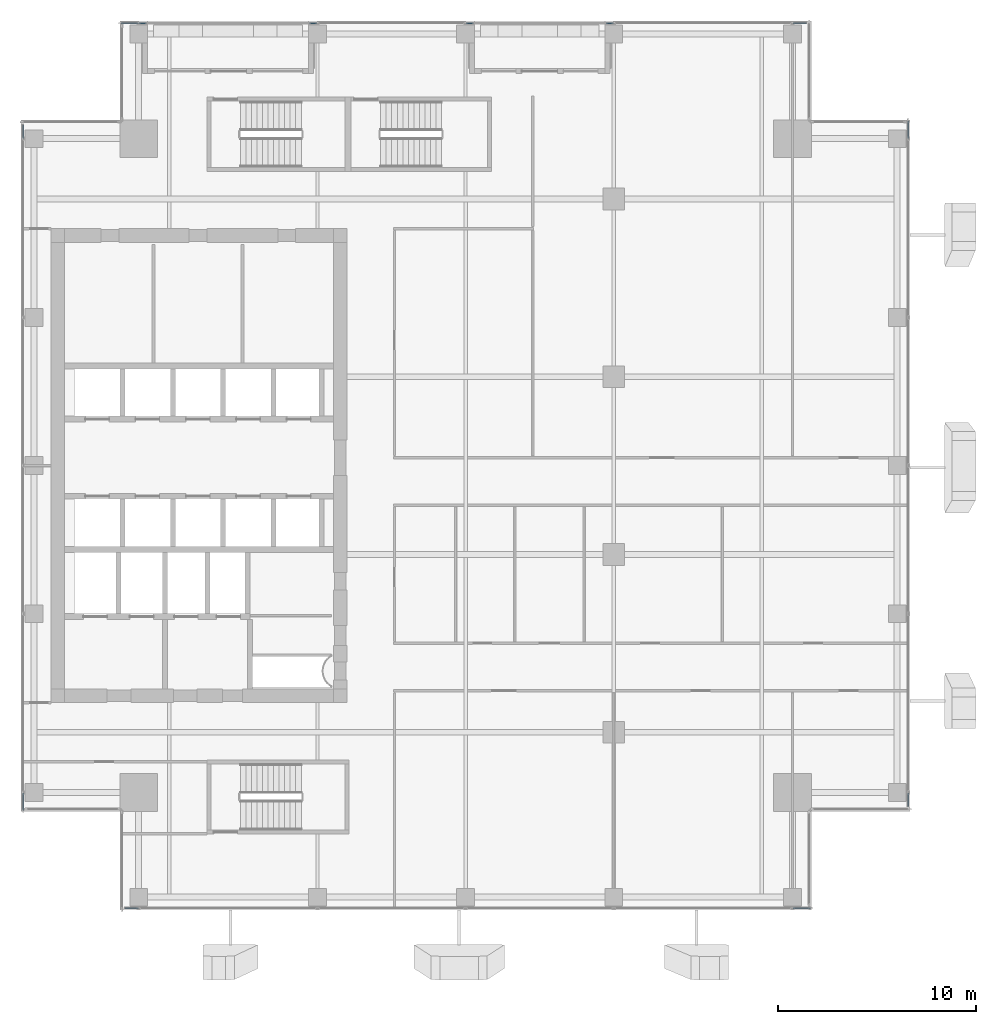
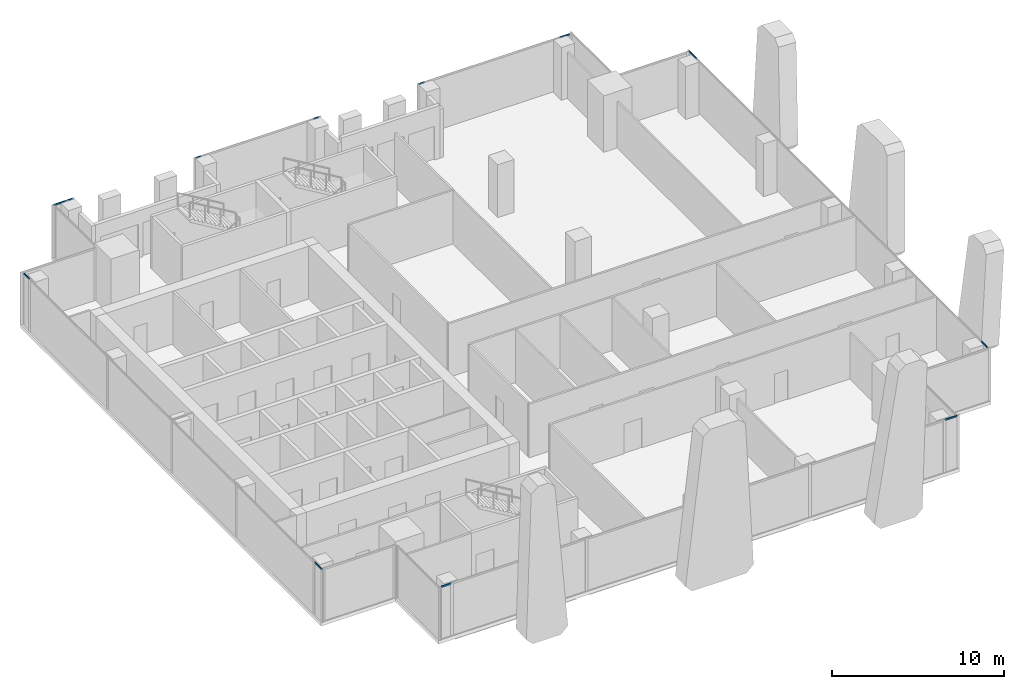
# One storey, part 25 of 36: 12 members, 6 elements without a shape of their own.
"""IFC4 building model written with IfcOpenShell, lengths in metres."""

from ifc_helpers import new_model, si_unit, direction, frame, origin, origin_2d, place, context, subcontext, project, spatial, hollow_rectangle, extrude, source, transform, mapped, material, material_profile, profile_set, type_object, element, aggregate, save


model = new_model("IFC4")

# Units and contexts
model_context = context("Model", 3, precision=1e-05, world=origin(), true_north=direction((0.0, 1.0)))
body_context = subcontext(model_context, "Body", "Model", "MODEL_VIEW")
ifc_project = project(units=[si_unit("LENGTHUNIT", "METRE"), si_unit("AREAUNIT", "SQUARE_METRE"), si_unit("VOLUMEUNIT", "CUBIC_METRE"), si_unit("PLANEANGLEUNIT", "RADIAN"), si_unit("MASSUNIT", "GRAM", prefix="KILO")], contexts=[model_context])

# Site, building, storey
site_placement = place(None, origin())
site = spatial("IfcSite", under=ifc_project, at=site_placement, CompositionType="ELEMENT")
building_placement = place(site_placement, origin())
building = spatial("IfcBuilding", under=site, at=building_placement, Name="Khomas Fold Tower", CompositionType="ELEMENT")
storey_placement = place(building_placement, frame((0.0, 0.0, 238.199951171875)))
storey = spatial("IfcBuildingStorey", under=building, at=storey_placement, Name="L53", CompositionType="ELEMENT", Elevation=238.199951171875)

# Curtain wall, member
ifc_material_1 = material(Name="Aluminium framed double glazing", Category="aluminium")
curtain_wall_type = type_object("IfcCurtainWallType", Name="SK-Unitised clear-glass wall, office floors CW2", PredefinedType="NOTDEFINED", material=ifc_material_1)
curtain_wall_1_placement = place(storey_placement, origin())
curtain_wall_1 = element("IfcCurtainWall", 1, at=curtain_wall_1_placement, inside=storey, type_object=curtain_wall_type, Name="CW2 run L53 00-0", PredefinedType="NOTDEFINED")
ifc_material_2 = material(Name="Aluminium", Category="aluminium")
ifc_material_profile = material_profile(ifc_material_2, hollow_rectangle(XDim=0.050048828125, YDim=0.110107421875, WallThickness=0.00390625, at=origin_2d()), Name="SK-Unitised clear-glass wall, office floors transom CW2-T")
ifc_profile_set = profile_set([ifc_material_profile], Name="Aluminium")
member_type = type_object("IfcMemberType", Name="SK-Unitised clear-glass wall, office floors transom CW2-T", PredefinedType="USERDEFINED", material=ifc_profile_set)
shared_shape_1 = source(origin(), body_context, "Body", "SweptSolid", [
    extrude(hollow_rectangle(XDim=0.050048828125, YDim=0.110107421875, WallThickness=0.00390625, at=origin_2d()), origin(), (0.0, 0.0, 1.0), 0.659912109375),
])
member_1_placement = place(storey_placement, frame((9.760009765625, 4.60009765625, 3.695068359375), z_axis=(1.0, 0.0, 0.0), x_axis=(0.0, 1.0, 0.0)))
member_1 = element("IfcMember", 2, at=member_1_placement, type_object=member_type, Name="CW2 transom 1", ObjectType="TRANSOM", PredefinedType="USERDEFINED", context=body_context, shape_type="MappedRepresentation", body=[
    mapped(shared_shape_1, transform((0.0, 0.0, 0.0))),
])

curtain_wall_2_placement = place(storey_placement, origin())
curtain_wall_2 = element("IfcCurtainWall", 3, at=curtain_wall_2_placement, inside=storey, type_object=curtain_wall_type, Name="CW2 run L53 03-0", PredefinedType="NOTDEFINED")
member_2_placement = place(storey_placement, frame((49.39990234375, 9.760009765625, 3.695068359375), z_axis=(0.0, 1.0, 0.0), x_axis=(-1.0, 0.0, 0.0)))
member_2 = element("IfcMember", 4, at=member_2_placement, type_object=member_type, Name="CW2 transom 1", ObjectType="TRANSOM", PredefinedType="USERDEFINED", context=body_context, shape_type="MappedRepresentation", body=[
    mapped(shared_shape_1, transform((0.0, 0.0, 0.0))),
])

curtain_wall_3_placement = place(storey_placement, origin())
curtain_wall_3 = element("IfcCurtainWall", 5, at=curtain_wall_3_placement, inside=storey, type_object=curtain_wall_type, Name="CW2 run L53 06-0", PredefinedType="NOTDEFINED")
member_3_placement = place(storey_placement, frame((44.239990234375, 49.39990234375, 3.695068359375), z_axis=(-1.0, 0.0, 0.0), x_axis=(0.0, -1.0, 0.0)))
member_3 = element("IfcMember", 6, at=member_3_placement, type_object=member_type, Name="CW2 transom 1", ObjectType="TRANSOM", PredefinedType="USERDEFINED", context=body_context, shape_type="MappedRepresentation", body=[
    mapped(shared_shape_1, transform((0.0, 0.0, 0.0))),
])

curtain_wall_4_placement = place(storey_placement, origin())
curtain_wall_4 = element("IfcCurtainWall", 7, at=curtain_wall_4_placement, inside=storey, type_object=curtain_wall_type, Name="CW2 run L53 09-0", PredefinedType="NOTDEFINED")
member_4_placement = place(storey_placement, frame((4.60009765625, 44.239990234375, 3.695068359375), z_axis=(0.0, -1.0, 0.0), x_axis=(1.0, 0.0, 0.0)))
member_4 = element("IfcMember", 8, at=member_4_placement, type_object=member_type, Name="CW2 transom 1", ObjectType="TRANSOM", PredefinedType="USERDEFINED", context=body_context, shape_type="MappedRepresentation", body=[
    mapped(shared_shape_1, transform((0.0, 0.0, 0.0))),
])

# Member
shared_shape_2 = source(origin(), body_context, "Body", "SweptSolid", [
    extrude(hollow_rectangle(XDim=0.050048828125, YDim=0.110107421875, WallThickness=0.00390625, at=origin_2d()), origin(), (0.0, 0.0, 1.0), 0.85986328125),
])
member_5_placement = place(storey_placement, frame((43.580078125, 4.60009765625, 3.695068359375), z_axis=(1.0, 0.0, 0.0), x_axis=(0.0, 1.0, 0.0)))
member_5 = element("IfcMember", 9, at=member_5_placement, type_object=member_type, Name="CW2 transom 6", ObjectType="TRANSOM", PredefinedType="USERDEFINED", context=body_context, shape_type="MappedRepresentation", body=[
    mapped(shared_shape_2, transform((0.0, 0.0, 0.0))),
])

aggregate(curtain_wall_1, [member_1, member_5])

member_6_placement = place(storey_placement, frame((49.39990234375, 43.580078125, 3.695068359375), z_axis=(0.0, 1.0, 0.0), x_axis=(-1.0, 0.0, 0.0)))
member_6 = element("IfcMember", 10, at=member_6_placement, type_object=member_type, Name="CW2 transom 6", ObjectType="TRANSOM", PredefinedType="USERDEFINED", context=body_context, shape_type="MappedRepresentation", body=[
    mapped(shared_shape_2, transform((0.0, 0.0, 0.0))),
])

aggregate(curtain_wall_2, [member_2, member_6])

# Curtain wall, member
curtain_wall_5_placement = place(storey_placement, origin())
curtain_wall_5 = element("IfcCurtainWall", 11, at=curtain_wall_5_placement, inside=storey, type_object=curtain_wall_type, Name="CW2 run L53 06-2", PredefinedType="NOTDEFINED")
member_7_placement = place(storey_placement, frame((10.419921875, 49.39990234375, 3.695068359375), z_axis=(-1.0, 0.0, 0.0), x_axis=(0.0, -1.0, 0.0)))
member_7 = element("IfcMember", 12, at=member_7_placement, type_object=member_type, Name="CW2 transom 2", ObjectType="TRANSOM", PredefinedType="USERDEFINED", context=body_context, shape_type="MappedRepresentation", body=[
    mapped(shared_shape_2, transform((0.0, 0.0, 0.0))),
])

# Member
member_8_placement = place(storey_placement, frame((4.60009765625, 10.419921875, 3.695068359375), z_axis=(0.0, -1.0, 0.0), x_axis=(1.0, 0.0, 0.0)))
member_8 = element("IfcMember", 13, at=member_8_placement, type_object=member_type, Name="CW2 transom 6", ObjectType="TRANSOM", PredefinedType="USERDEFINED", context=body_context, shape_type="MappedRepresentation", body=[
    mapped(shared_shape_2, transform((0.0, 0.0, 0.0))),
])

aggregate(curtain_wall_4, [member_4, member_8])

shared_shape_3 = source(origin(), body_context, "Body", "SweptSolid", [
    extrude(hollow_rectangle(XDim=0.050048828125, YDim=0.110107421875, WallThickness=0.00390625, at=origin_2d()), origin(), (0.0, 0.0, 1.0), 0.35986328125),
])
member_9_placement = place(storey_placement, frame((34.469970703125, 49.39990234375, 3.695068359375), z_axis=(-1.0, 0.0, 0.0), x_axis=(0.0, -1.0, 0.0)))
member_9 = element("IfcMember", 14, at=member_9_placement, type_object=member_type, Name="CW2 transom 3", ObjectType="TRANSOM", PredefinedType="USERDEFINED", context=body_context, shape_type="MappedRepresentation", body=[
    mapped(shared_shape_3, transform((0.0, 0.0, 0.0))),
])

aggregate(curtain_wall_3, [member_3, member_9])

# Curtain wall, members
curtain_wall_6_placement = place(storey_placement, origin())
curtain_wall_6 = element("IfcCurtainWall", 15, at=curtain_wall_6_placement, inside=storey, type_object=curtain_wall_type, Name="CW2 run L53 06-1", PredefinedType="NOTDEFINED")
member_10_placement = place(storey_placement, frame((27.389892578125, 49.39990234375, 3.695068359375), z_axis=(-1.0, 0.0, 0.0), x_axis=(0.0, -1.0, 0.0)))
member_10 = element("IfcMember", 16, at=member_10_placement, type_object=member_type, Name="CW2 transom 1", ObjectType="TRANSOM", PredefinedType="USERDEFINED", context=body_context, shape_type="MappedRepresentation", body=[
    mapped(shared_shape_3, transform((0.0, 0.0, 0.0))),
])
member_11_placement = place(storey_placement, frame((19.469970703125, 49.39990234375, 3.695068359375), z_axis=(-1.0, 0.0, 0.0), x_axis=(0.0, -1.0, 0.0)))
member_11 = element("IfcMember", 17, at=member_11_placement, type_object=member_type, Name="CW2 transom 3", ObjectType="TRANSOM", PredefinedType="USERDEFINED", context=body_context, shape_type="MappedRepresentation", body=[
    mapped(shared_shape_3, transform((0.0, 0.0, 0.0))),
])
aggregate(curtain_wall_6, [member_10, member_11])

# Member
shared_shape_4 = source(origin(), body_context, "Body", "SweptSolid", [
    extrude(hollow_rectangle(XDim=0.050048828125, YDim=0.110107421875, WallThickness=0.00390625, at=origin_2d()), origin(), (0.0, 0.0, 1.0), 0.360107421875),
])
member_12_placement = place(storey_placement, frame((10.840087890625, 49.39990234375, 3.695068359375), z_axis=(-1.0, 0.0, 0.0), x_axis=(0.0, -1.0, 0.0)))
member_12 = element("IfcMember", 18, at=member_12_placement, type_object=member_type, Name="CW2 transom 1", ObjectType="TRANSOM", PredefinedType="USERDEFINED", context=body_context, shape_type="MappedRepresentation", body=[
    mapped(shared_shape_4, transform((0.0, 0.0, 0.0))),
])

aggregate(curtain_wall_5, [member_12, member_7])

save(model, "model.ifc")
